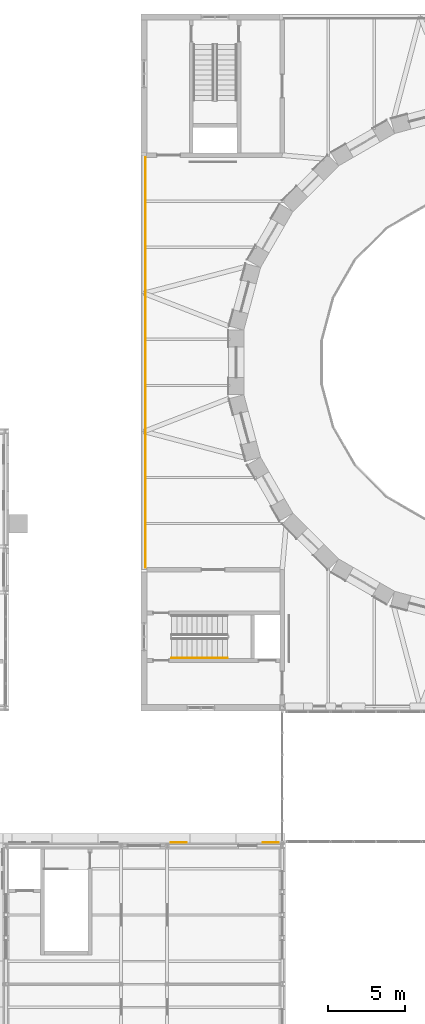
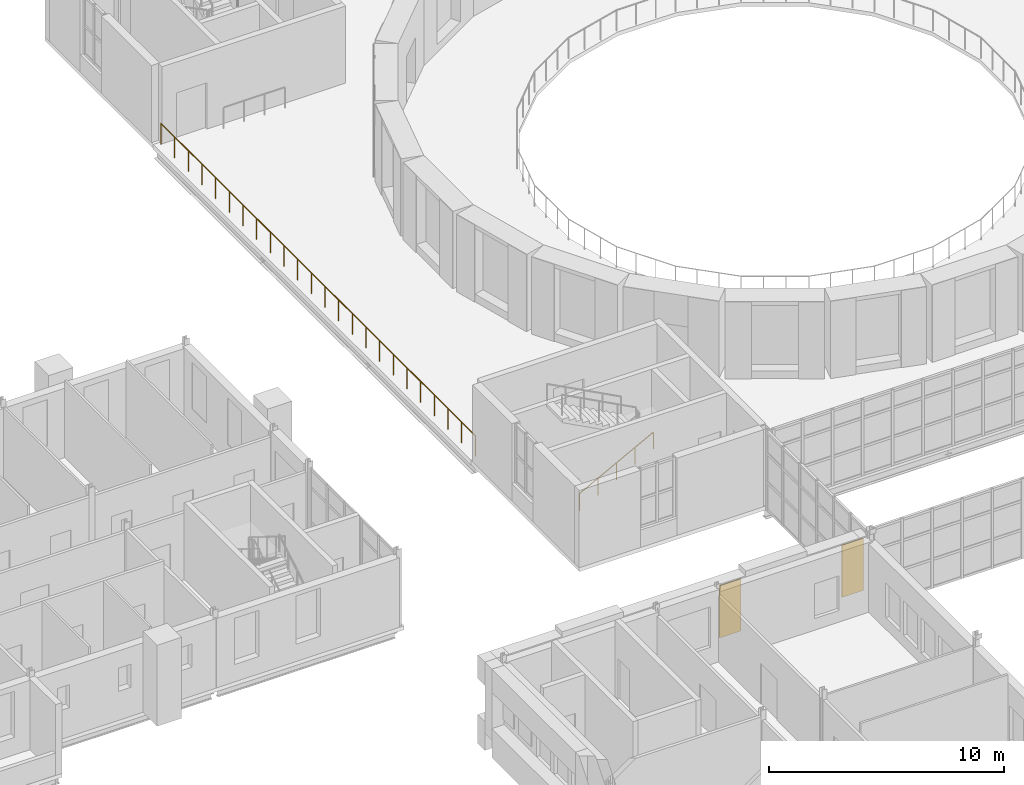
# One storey, part 145 of 154: 2 coverings, 2 railings.
"""IFC4 building model written with IfcOpenShell, lengths in metres."""

from ifc_helpers import new_model, si_unit, direction, frame, origin, origin_2d, place, context, subcontext, project, spatial, polyline, circle, outline, extrude, material, layer, layer_set, type_object, element, save


model = new_model("IFC4")

# Units and contexts
model_context = context("Model", 3, precision=1e-05, world=origin(), true_north=direction((0.0, 1.0)))
body_context = subcontext(model_context, "Body", "Model", "MODEL_VIEW")
ifc_project = project(units=[si_unit("LENGTHUNIT", "METRE"), si_unit("AREAUNIT", "SQUARE_METRE"), si_unit("VOLUMEUNIT", "CUBIC_METRE"), si_unit("PLANEANGLEUNIT", "RADIAN"), si_unit("MASSUNIT", "GRAM", prefix="KILO")], contexts=[model_context])

# Site, building, storey
site_placement = place(None, origin())
site = spatial("IfcSite", under=ifc_project, at=site_placement, CompositionType="ELEMENT")
building_placement = place(site_placement, origin())
building = spatial("IfcBuilding", under=site, at=building_placement, Name="Golden Quay Civic Hall", CompositionType="ELEMENT")
storey_placement = place(building_placement, frame((0.0, 0.0, 14.39990234375)))
storey = spatial("IfcBuildingStorey", under=building, at=storey_placement, Name="L03", CompositionType="ELEMENT", Elevation=14.39990234375)

# Railings
ifc_material_1 = material(Name="Steel S355", Category="steel")
railing_type_1 = type_object("IfcRailingType", Name="Steel guard 1100 terrace", PredefinedType="GUARDRAIL", material=ifc_material_1)
railing_1_placement = place(storey_placement, frame((63.10009765625, 72.14990234375, 0.0)))
element("IfcRailing", 1, at=railing_1_placement, inside=storey, type_object=railing_type_1, Name="Terrace guard 3", PredefinedType="GUARDRAIL", context=body_context, shape_type="SweptSolid", body=[
    extrude(circle(Radius=0.02392578125, at=origin_2d()), frame((0.0, 0.0, 1.076171875), z_axis=(0.0, 1.0, 0.0), x_axis=(-1.0, 0.0, 0.0)), (0.0, 0.0, 1.0), 26.7001953125),
    extrude(circle(Radius=0.02099609375, at=origin_2d()), origin(), (0.0, 0.0, 1.0), 1.052001953125),
    extrude(circle(Radius=0.02099609375, at=origin_2d()), frame((0.0, 1.160888671875, 0.0)), (0.0, 0.0, 1.0), 1.052001953125),
    extrude(circle(Radius=0.02099609375, at=origin_2d()), frame((0.0, 2.32177734375, 0.0)), (0.0, 0.0, 1.0), 1.052001953125),
    extrude(circle(Radius=0.02099609375, at=origin_2d()), frame((0.0, 3.482666015625, 0.0)), (0.0, 0.0, 1.0), 1.052001953125),
    extrude(circle(Radius=0.02099609375, at=origin_2d()), frame((0.0, 4.6435546875, 0.0)), (0.0, 0.0, 1.0), 1.052001953125),
    extrude(circle(Radius=0.02099609375, at=origin_2d()), frame((0.0, 5.804443359375, 0.0)), (0.0, 0.0, 1.0), 1.052001953125),
    extrude(circle(Radius=0.02099609375, at=origin_2d()), frame((0.0, 6.96533203125, 0.0)), (0.0, 0.0, 1.0), 1.052001953125),
    extrude(circle(Radius=0.02099609375, at=origin_2d()), frame((0.0, 8.126220703125, 0.0)), (0.0, 0.0, 1.0), 1.052001953125),
    extrude(circle(Radius=0.02099609375, at=origin_2d()), frame((0.0, 9.287109375, 0.0)), (0.0, 0.0, 1.0), 1.052001953125),
    extrude(circle(Radius=0.02099609375, at=origin_2d()), frame((0.0, 10.447998046875, 0.0)), (0.0, 0.0, 1.0), 1.052001953125),
    extrude(circle(Radius=0.02099609375, at=origin_2d()), frame((0.0, 11.60888671875, 0.0)), (0.0, 0.0, 1.0), 1.052001953125),
    extrude(circle(Radius=0.02099609375, at=origin_2d()), frame((0.0, 12.769775390625, 0.0)), (0.0, 0.0, 1.0), 1.052001953125),
    extrude(circle(Radius=0.02099609375, at=origin_2d()), frame((0.0, 13.930419921875, 0.0)), (0.0, 0.0, 1.0), 1.052001953125),
    extrude(circle(Radius=0.02099609375, at=origin_2d()), frame((0.0, 15.09130859375, 0.0)), (0.0, 0.0, 1.0), 1.052001953125),
    extrude(circle(Radius=0.02099609375, at=origin_2d()), frame((0.0, 16.252197265625, 0.0)), (0.0, 0.0, 1.0), 1.052001953125),
    extrude(circle(Radius=0.02099609375, at=origin_2d()), frame((0.0, 17.4130859375, 0.0)), (0.0, 0.0, 1.0), 1.052001953125),
    extrude(circle(Radius=0.02099609375, at=origin_2d()), frame((0.0, 18.573974609375, 0.0)), (0.0, 0.0, 1.0), 1.052001953125),
    extrude(circle(Radius=0.02099609375, at=origin_2d()), frame((0.0, 19.73486328125, 0.0)), (0.0, 0.0, 1.0), 1.052001953125),
    extrude(circle(Radius=0.02099609375, at=origin_2d()), frame((0.0, 20.895751953125, 0.0)), (0.0, 0.0, 1.0), 1.052001953125),
    extrude(circle(Radius=0.02099609375, at=origin_2d()), frame((0.0, 22.056640625, 0.0)), (0.0, 0.0, 1.0), 1.052001953125),
    extrude(circle(Radius=0.02099609375, at=origin_2d()), frame((0.0, 23.217529296875, 0.0)), (0.0, 0.0, 1.0), 1.052001953125),
    extrude(circle(Radius=0.02099609375, at=origin_2d()), frame((0.0, 24.37841796875, 0.0)), (0.0, 0.0, 1.0), 1.052001953125),
    extrude(circle(Radius=0.02099609375, at=origin_2d()), frame((0.0, 25.539306640625, 0.0)), (0.0, 0.0, 1.0), 1.052001953125),
    extrude(circle(Radius=0.02099609375, at=origin_2d()), frame((0.0, 26.7001953125, 0.0)), (0.0, 0.0, 1.0), 1.052001953125),
])
ifc_material_2 = material(Name="Steel S355", Category="steel")
railing_type_2 = type_object("IfcRailingType", Name="Steel handrail 900", PredefinedType="HANDRAIL", material=ifc_material_2)
railing_2_placement = place(storey_placement, frame((64.800048828125, 66.25, 0.175048828125)))
element("IfcRailing", 2, at=railing_2_placement, inside=storey, type_object=railing_type_2, Name="L03 CB-SW stair handrail 1", PredefinedType="HANDRAIL", context=body_context, shape_type="SweptSolid", body=[
    extrude(circle(Radius=0.02392578125, at=origin_2d()), frame((0.0, 0.0, 0.8759765625), z_axis=(0.883450922709, 0.0, 0.468523710355), x_axis=(0.0, 1.0, 0.0)), (0.0, 0.0, 1.0), 4.108642578125),
    extrude(circle(Radius=0.02099609375, at=origin_2d()), origin(), (0.0, 0.0, 1.0), 0.851806640625),
    extrude(circle(Radius=0.02099609375, at=origin_2d()), frame((0.907470703125, 0.0, 0.481201171875)), (0.0, 0.0, 1.0), 0.851806640625),
    extrude(circle(Radius=0.02099609375, at=origin_2d()), frame((1.81494140625, 0.0, 0.96240234375)), (0.0, 0.0, 1.0), 0.851806640625),
    extrude(circle(Radius=0.02099609375, at=origin_2d()), frame((2.722412109375, 0.0, 1.44384765625)), (0.0, 0.0, 1.0), 0.851806640625),
    extrude(circle(Radius=0.02099609375, at=origin_2d()), frame((3.6298828125, 0.0, 1.925048828125)), (0.0, 0.0, 1.0), 0.851806640625),
])

# Coverings
ifc_material_3 = material(Name="Terracotta cladding, golden glaze", Category="masonry")
ifc_layer = layer(ifc_material_3, 0.050048828125)
ifc_layer_set = layer_set([ifc_layer], Name="Terracotta solid panel 1050 x 2700 x 50")
covering_type = type_object("IfcCoveringType", Name="Terracotta solid panel 1050 x 2700 x 50", PredefinedType="CLADDING", material=ifc_layer_set)
covering_1_placement = place(storey_placement, frame((0.0, 0.0, 0.900146484375)))
element("IfcCovering", 3, at=covering_1_placement, inside=storey, type_object=covering_type, Name="Terracotta solid panel 1050 x 2700 x 50 L03 18", PredefinedType="CLADDING", context=body_context, shape_type="SweptSolid", body=[
    extrude(outline(polyline([(64.72509765625, 54.199951171875), (65.77490234375, 54.199951171875), (65.77490234375, 54.25), (64.72509765625, 54.25), (64.72509765625, 54.199951171875)])), origin(), (0.0, 0.0, 1.0), 2.699951171875),
])
covering_2_placement = place(storey_placement, frame((0.0, 0.0, 0.900146484375)))
element("IfcCovering", 4, at=covering_2_placement, inside=storey, type_object=covering_type, Name="Terracotta solid panel 1050 x 2700 x 50 L03 19", PredefinedType="CLADDING", context=body_context, shape_type="SweptSolid", body=[
    extrude(outline(polyline([(70.72509765625, 54.199951171875), (71.77490234375, 54.199951171875), (71.77490234375, 54.25), (70.72509765625, 54.25), (70.72509765625, 54.199951171875)])), origin(), (0.0, 0.0, 1.0), 2.699951171875),
])

save(model, "model.ifc")
